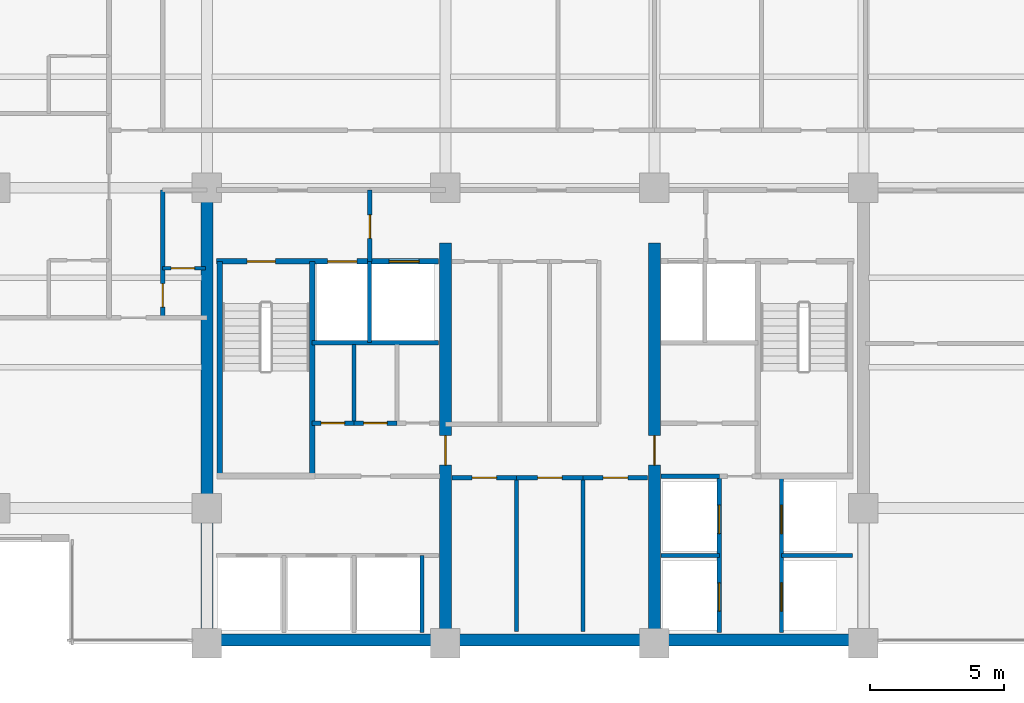
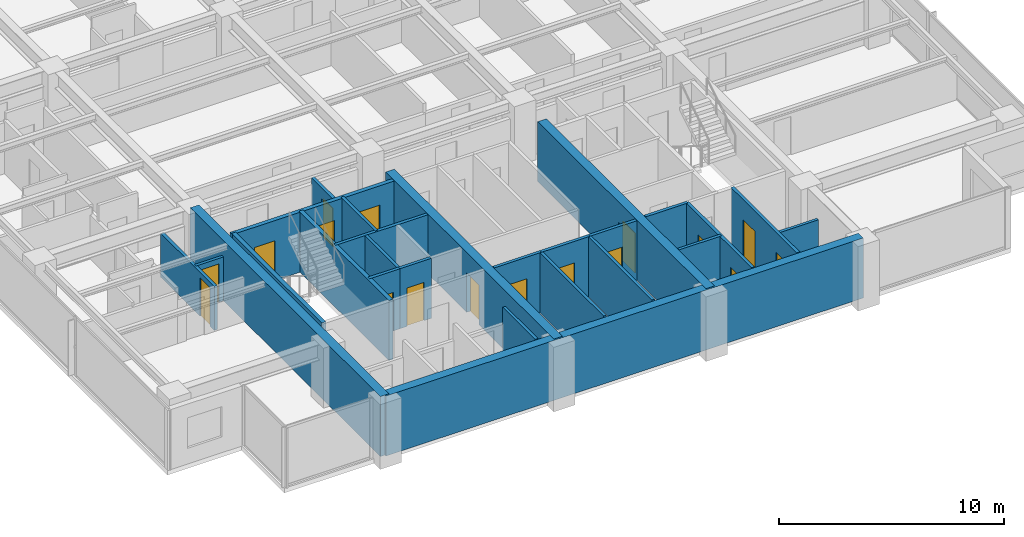
# One storey, part 7 of 15: 26 walls, 17 doors, 17 openings.
"""IFC4 building model written with IfcOpenShell, lengths in metres."""

from ifc_helpers import new_model, si_unit, direction, frame, frame_2d, origin, place, context, subcontext, project, spatial, rectangle, extrude, material, layer, layer_set, type_object, element, fill, save


model = new_model("IFC4")

# Units and contexts
model_context = context("Model", 3, precision=1e-05, world=origin(), true_north=direction((0.0, 1.0)))
body_context = subcontext(model_context, "Body", "Model", "MODEL_VIEW")
ifc_project = project(units=[si_unit("LENGTHUNIT", "METRE"), si_unit("AREAUNIT", "SQUARE_METRE"), si_unit("VOLUMEUNIT", "CUBIC_METRE"), si_unit("PLANEANGLEUNIT", "RADIAN"), si_unit("MASSUNIT", "GRAM", prefix="KILO")], contexts=[model_context])

# Site, building, storey
site_placement = place(None, origin())
site = spatial("IfcSite", under=ifc_project, at=site_placement, CompositionType="ELEMENT")
building_placement = place(site_placement, origin())
building = spatial("IfcBuilding", under=site, at=building_placement, Name="Qalmaran Belvedere Hotel", CompositionType="ELEMENT")
storey_placement = place(building_placement, frame((0.0, 0.0, 163.10009765625)))
storey = spatial("IfcBuildingStorey", under=building, at=storey_placement, Name="L41", CompositionType="ELEMENT", Elevation=163.10009765625)

# Wall
ifc_material_1 = material(Name="Concrete C50/60", Category="concrete")
ifc_layer_1 = layer(ifc_material_1, 0.449951171875, Name="Concrete C50/60")
ifc_layer_set_1 = layer_set([ifc_layer_1], Name="Concrete C50/60")
wall_type_1 = type_object("IfcWallType", Name="WL-CORE-450-C50", PredefinedType="SHEAR", material=ifc_layer_set_1)
wall_1_placement = place(storey_placement, frame((20.300048828125, 3.5, 0.0), z_axis=(0.0, 0.0, 1.0), x_axis=(0.0, 1.0, 0.0)))
element("IfcWall", 1, at=wall_1_placement, inside=storey, type_object=wall_type_1, Name="L41 West Core Shear Wall", PredefinedType="SHEAR", context=body_context, shape_type="SweptSolid", body=[
    extrude(rectangle(XDim=16.89990234375, YDim=0.449951171875, at=frame_2d((8.449951171875, 0.0))), origin(), (0.0, 0.0, 1.0), 3.25),
])

# Wall, opening, door
wall_2_placement = place(storey_placement, frame((29.199951171875, 3.5, 0.0), z_axis=(0.0, 0.0, 1.0), x_axis=(0.0, 1.0, 0.0)))
wall_2 = element("IfcWall", 2, at=wall_2_placement, inside=storey, type_object=wall_type_1, Name="L41 Core West Spine Shear Wall", PredefinedType="SHEAR", context=body_context, shape_type="SweptSolid", body=[
    extrude(rectangle(XDim=14.949951171875, YDim=0.449951171875, at=frame_2d((7.47509765625, 0.0))), origin(), (0.0, 0.0, 1.0), 3.25),
])
opening_1_placement = place(wall_2_placement, frame((7.75, 0.0, 0.0), z_axis=(0.0, 0.0, 1.0), x_axis=(-1.0, 0.0, 0.0)))
opening_1 = element("IfcOpeningElement", 3, at=opening_1_placement, cuts=wall_2, Name="Opening FD90", PredefinedType="OPENING", context=body_context, shape_type="SweptSolid", body=[
    extrude(rectangle(XDim=1.10009765625, YDim=2.14990234375, at=frame_2d((0.550048828125, 1.074951171875))), frame((0.0, 0.23486328125, 0.0), z_axis=(0.0, -1.0, 0.0), x_axis=(1.0, 0.0, 0.0)), (0.0, 0.0, 1.0), 0.469970703125),
])
ifc_material_2 = material(Name="Steel S355JR", Category="steel")
door_type_1 = type_object("IfcDoorType", Name="DR-FD90-1100X2150", OperationType="NOTDEFINED", PredefinedType="DOOR", material=ifc_material_2)
door_1_placement = place(opening_1_placement, origin())
door_1 = element("IfcDoor", 4, at=door_1_placement, inside=storey, type_object=door_type_1, Name="L41 Core West Cross-Lobby Door", OperationType="SINGLE_SWING_LEFT", OverallHeight=2.14990234375, OverallWidth=1.10009765625, PredefinedType="DOOR", context=body_context, shape_type="SweptSolid", body=[
    extrude(rectangle(XDim=1.10009765625, YDim=2.14990234375, at=frame_2d((0.550048828125, 1.074951171875))), frame((0.0, 0.02490234375, 0.0), z_axis=(0.0, -1.0, 0.0), x_axis=(1.0, 0.0, 0.0)), (0.0, 0.0, 1.0), 0.050048828125),
])
fill(opening_1, door_1)

wall_3_placement = place(storey_placement, frame((37.0, 3.5, 0.0), z_axis=(0.0, 0.0, 1.0), x_axis=(0.0, 1.0, 0.0)))
wall_3 = element("IfcWall", 5, at=wall_3_placement, inside=storey, type_object=wall_type_1, Name="L41 Core East Spine Shear Wall", PredefinedType="SHEAR", context=body_context, shape_type="SweptSolid", body=[
    extrude(rectangle(XDim=14.949951171875, YDim=0.449951171875, at=frame_2d((7.47509765625, 0.0))), origin(), (0.0, 0.0, 1.0), 3.25),
])
opening_2_placement = place(wall_3_placement, frame((6.64990234375, 0.0, 0.0)))
opening_2 = element("IfcOpeningElement", 6, at=opening_2_placement, cuts=wall_3, Name="Opening FD90", PredefinedType="OPENING", context=body_context, shape_type="SweptSolid", body=[
    extrude(rectangle(XDim=1.10009765625, YDim=2.14990234375, at=frame_2d((0.550048828125, 1.074951171875))), frame((0.0, 0.23486328125, 0.0), z_axis=(0.0, -1.0, 0.0), x_axis=(1.0, 0.0, 0.0)), (0.0, 0.0, 1.0), 0.469970703125),
])
door_2_placement = place(opening_2_placement, origin())
door_2 = element("IfcDoor", 7, at=door_2_placement, inside=storey, type_object=door_type_1, Name="L41 Core East Cross-Lobby Door", OperationType="SINGLE_SWING_RIGHT", OverallHeight=2.14990234375, OverallWidth=1.10009765625, PredefinedType="DOOR", context=body_context, shape_type="SweptSolid", body=[
    extrude(rectangle(XDim=1.10009765625, YDim=2.14990234375, at=frame_2d((0.550048828125, 1.074951171875))), frame((0.0, 0.02490234375, 0.0), z_axis=(0.0, -1.0, 0.0), x_axis=(1.0, 0.0, 0.0)), (0.0, 0.0, 1.0), 0.050048828125),
])
fill(opening_2, door_2)

# Wall
ifc_layer_2 = layer(ifc_material_1, 0.43994140625, Name="Concrete C50/60")
ifc_layer_set_2 = layer_set([ifc_layer_2], Name="Concrete C50/60")
wall_type_2 = type_object("IfcWallType", Name="WL-CORES-440-EXT", PredefinedType="SHEAR", material=ifc_layer_set_2)
wall_4_placement = place(storey_placement, frame((20.300048828125, 3.6298828125, 0.0), z_axis=(0.0, 0.0, 1.0), x_axis=(1.0, 0.0, 0.0)))
element("IfcWall", 8, at=wall_4_placement, inside=storey, type_object=wall_type_2, Name="L41 South Core Shear Wall", PredefinedType="SHEAR", context=body_context, shape_type="SweptSolid", body=[
    extrude(rectangle(XDim=24.5, YDim=0.43994140625, at=frame_2d((12.25, 0.0))), origin(), (0.0, 0.0, 1.0), 3.25),
])

# Wall, opening, door
ifc_material_3 = material(Name="Gypsum Stud Partition")
ifc_layer_3 = layer(ifc_material_3, 0.139892578125, Name="Gypsum Stud Partition")
ifc_layer_set_3 = layer_set([ifc_layer_3], Name="Gypsum Stud Partition")
wall_type_3 = type_object("IfcWallType", Name="WL-INT-140-NR", PredefinedType="PARTITIONING", material=ifc_layer_set_3)
wall_5_placement = place(storey_placement, frame((18.64990234375, 17.5, 0.0), z_axis=(0.0, 0.0, 1.0), x_axis=(1.0, 0.0, 0.0)))
wall_5 = element("IfcWall", 9, at=wall_5_placement, inside=storey, type_object=wall_type_3, Name="L41 Partition WL-L41-WCLSUB", PredefinedType="PARTITIONING", context=body_context, shape_type="SweptSolid", body=[
    extrude(rectangle(XDim=1.60009765625, YDim=0.139892578125, at=frame_2d((0.800048828125, 0.0))), origin(), (0.0, 0.0, 1.0), 2.3798828125),
])
opening_3_placement = place(wall_5_placement, frame((1.193115234375, 0.0, 0.0), z_axis=(0.0, 0.0, 1.0), x_axis=(-1.0, 0.0, 0.0)))
opening_3 = element("IfcOpeningElement", 10, at=opening_3_placement, cuts=wall_5, Name="Opening D-BATH", PredefinedType="OPENING", context=body_context, shape_type="SweptSolid", body=[
    extrude(rectangle(XDim=0.8798828125, YDim=2.080078125, at=frame_2d((0.43994140625, 1.0400390625))), frame((0.0, 0.080078125, 0.0), z_axis=(0.0, -1.0, 0.0), x_axis=(1.0, 0.0, 0.0)), (0.0, 0.0, 1.0), 0.159912109375),
])
ifc_material_4 = material(Name="Engineered Oak Veneer")
door_type_2 = type_object("IfcDoorType", Name="DR-INT-BATH-880X2080", OperationType="NOTDEFINED", PredefinedType="DOOR", material=ifc_material_4)
door_3_placement = place(opening_3_placement, origin())
door_3 = element("IfcDoor", 11, at=door_3_placement, inside=storey, type_object=door_type_2, Name="L41 Closet Alcove Door", OperationType="SINGLE_SWING_RIGHT", OverallHeight=2.080078125, OverallWidth=0.8798828125, PredefinedType="DOOR", context=body_context, shape_type="SweptSolid", body=[
    extrude(rectangle(XDim=0.8798828125, YDim=2.080078125, at=frame_2d((0.43994140625, 1.0400390625))), frame((0.0, 0.02490234375, 0.0), z_axis=(0.0, -1.0, 0.0), x_axis=(1.0, 0.0, 0.0)), (0.0, 0.0, 1.0), 0.050048828125),
])
fill(opening_3, door_3)

# Walls
ifc_layer_4 = layer(ifc_material_3, 0.14990234375, Name="Gypsum Stud Partition")
ifc_layer_set_4 = layer_set([ifc_layer_4], Name="Gypsum Stud Partition")
wall_type_4 = type_object("IfcWallType", Name="WL-INT-150-EI120", PredefinedType="PARTITIONING", material=ifc_layer_set_4)
wall_6_placement = place(storey_placement, frame((26.360107421875, 14.719970703125, 0.0), z_axis=(0.0, 0.0, 1.0), x_axis=(0.0, 1.0, 0.0)))
element("IfcWall", 12, at=wall_6_placement, inside=storey, type_object=wall_type_4, Name="L41 Partition WL-FF1M-L41", PredefinedType="PARTITIONING", context=body_context, shape_type="SweptSolid", body=[
    extrude(rectangle(XDim=3.0400390625, YDim=0.14990234375, at=frame_2d((1.52001953125, 0.0))), origin(), (0.0, 0.0, 1.0), 3.25),
])
wall_7_placement = place(storey_placement, frame((28.320068359375, 3.89990234375, 0.0), z_axis=(0.0, 0.0, 1.0), x_axis=(0.0, 1.0, 0.0)))
element("IfcWall", 13, at=wall_7_placement, inside=storey, type_object=wall_type_4, Name="L41 Partition WL-POM3-L41", PredefinedType="PARTITIONING", context=body_context, shape_type="SweptSolid", body=[
    extrude(rectangle(XDim=2.880126953125, YDim=0.14990234375, at=frame_2d((1.43994140625, 0.0))), origin(), (0.0, 0.0, 1.0), 3.25),
])
wall_8_placement = place(storey_placement, frame((37.25, 6.780029296875, 0.0), z_axis=(0.0, 0.0, 1.0), x_axis=(1.0, 0.0, 0.0)))
element("IfcWall", 14, at=wall_8_placement, inside=storey, type_object=wall_type_4, Name="L41 Partition WL-PHMW-L41", PredefinedType="PARTITIONING", context=body_context, shape_type="SweptSolid", body=[
    extrude(rectangle(XDim=2.169921875, YDim=0.14990234375, at=frame_2d((1.0849609375, 0.0))), origin(), (0.0, 0.0, 1.0), 3.25),
])
wall_9_placement = place(storey_placement, frame((41.739990234375, 6.780029296875, 0.0), z_axis=(0.0, 0.0, 1.0), x_axis=(1.0, 0.0, 0.0)))
element("IfcWall", 15, at=wall_9_placement, inside=storey, type_object=wall_type_4, Name="L41 Partition WL-PHME-L41", PredefinedType="PARTITIONING", context=body_context, shape_type="SweptSolid", body=[
    extrude(rectangle(XDim=2.659912109375, YDim=0.14990234375, at=frame_2d((1.330078125, 0.0))), origin(), (0.0, 0.0, 1.0), 2.3798828125),
])
ifc_layer_5 = layer(ifc_material_3, 0.14990234375, Name="Gypsum Stud Partition")
ifc_layer_set_5 = layer_set([ifc_layer_5], Name="Gypsum Stud Partition")
wall_type_5 = type_object("IfcWallType", Name="WL-INT-150-EI60", PredefinedType="PARTITIONING", material=ifc_layer_set_5)
wall_10_placement = place(storey_placement, frame((25.781005859375, 11.719970703125, 0.0), z_axis=(0.0, 0.0, 1.0), x_axis=(0.0, 1.0, 0.0)))
element("IfcWall", 16, at=wall_10_placement, inside=storey, type_object=wall_type_5, Name="L41 Partition WL-L41-KWV1", PredefinedType="PARTITIONING", context=body_context, shape_type="SweptSolid", body=[
    extrude(rectangle(XDim=2.929931640625, YDim=0.14990234375, at=frame_2d((1.46484375, 0.0))), origin(), (0.0, 0.0, 1.0), 3.25),
])
for number, where, z_axis, x_axis, name in (
    (17, (31.85888671875, 3.949951171875, 0.0), (0.0, 0.0, 1.0), (0.0, 1.0, 0.0), "L41 Partition WL-L41-KPLV1"),
    (18, (34.341064453125, 3.949951171875, 0.0), (0.0, 0.0, 1.0), (0.0, 1.0, 0.0), "L41 Partition WL-L41-KPLV2"),
):
    element("IfcWall", number, at=place(storey_placement, frame(where, z_axis=z_axis, x_axis=x_axis)), inside=storey, type_object=wall_type_5, Name=name, PredefinedType="PARTITIONING", context=body_context, shape_type="SweptSolid", body=[
        extrude(rectangle(XDim=5.72998046875, YDim=0.14990234375, at=frame_2d((2.864990234375, 0.0))), origin(), (0.0, 0.0, 1.0), 3.25),
    ])

# Wall, opening, door
ifc_layer_6 = layer(ifc_material_3, 0.159912109375, Name="Gypsum Stud Partition")
ifc_layer_set_6 = layer_set([ifc_layer_6], Name="Gypsum Stud Partition")
wall_type_6 = type_object("IfcWallType", Name="WL-INT-160-EI120", PredefinedType="PARTITIONING", material=ifc_layer_set_6)
wall_11_placement = place(storey_placement, frame((26.3798828125, 17.760009765625, 0.0), z_axis=(0.0, 0.0, 1.0), x_axis=(0.0, 1.0, 0.0)))
wall_11 = element("IfcWall", 19, at=wall_11_placement, inside=storey, type_object=wall_type_6, Name="L41 Partition WL-FFSV1-L41", PredefinedType="PARTITIONING", context=body_context, shape_type="SweptSolid", body=[
    extrude(rectangle(XDim=2.659912109375, YDim=0.159912109375, at=frame_2d((1.330078125, 0.0))), origin(), (0.0, 0.0, 1.0), 2.69189453125),
])
opening_4_placement = place(wall_11_placement, frame((0.85009765625, 0.0, 0.0)))
opening_4 = element("IfcOpeningElement", 20, at=opening_4_placement, cuts=wall_11, Name="Opening FD60B", PredefinedType="OPENING", context=body_context, shape_type="SweptSolid", body=[
    extrude(rectangle(XDim=0.8798828125, YDim=2.080078125, at=frame_2d((0.43994140625, 1.0400390625))), frame((0.0, 0.08984375, 0.0), z_axis=(0.0, -1.0, 0.0), x_axis=(1.0, 0.0, 0.0)), (0.0, 0.0, 1.0), 0.179931640625),
])
door_type_3 = type_object("IfcDoorType", Name="DR-FD60B-880X2080", OperationType="NOTDEFINED", PredefinedType="DOOR", material=ifc_material_2)
door_4_placement = place(opening_4_placement, origin())
door_4 = element("IfcDoor", 21, at=door_4_placement, inside=storey, type_object=door_type_3, Name="L41 Service Lobby West Door", OperationType="SINGLE_SWING_LEFT", OverallHeight=2.080078125, OverallWidth=0.8798828125, PredefinedType="DOOR", context=body_context, shape_type="SweptSolid", body=[
    extrude(rectangle(XDim=0.8798828125, YDim=2.080078125, at=frame_2d((0.43994140625, 1.0400390625))), frame((0.0, 0.02490234375, 0.0), z_axis=(0.0, -1.0, 0.0), x_axis=(1.0, 0.0, 0.0)), (0.0, 0.0, 1.0), 0.050048828125),
])
fill(opening_4, door_4)

# Wall
wall_12_placement = place(storey_placement, frame((24.219970703125, 14.719970703125, 0.0), z_axis=(0.0, 0.0, 1.0), x_axis=(1.0, 0.0, 0.0)))
element("IfcWall", 22, at=wall_12_placement, inside=storey, type_object=wall_type_6, Name="L41 Partition WL-FF1S-L41", PredefinedType="PARTITIONING", context=body_context, shape_type="SweptSolid", body=[
    extrude(rectangle(XDim=4.72998046875, YDim=0.159912109375, at=frame_2d((2.364990234375, 0.0))), origin(), (0.0, 0.0, 1.0), 3.25),
])

# Wall, openings, doors
wall_13_placement = place(storey_placement, frame((39.419921875, 3.89990234375, 0.0), z_axis=(0.0, 0.0, 1.0), x_axis=(0.0, 1.0, 0.0)))
wall_13 = element("IfcWall", 23, at=wall_13_placement, inside=storey, type_object=wall_type_6, Name="L41 Partition WL-PHW-L41", PredefinedType="PARTITIONING", context=body_context, shape_type="SweptSolid", body=[
    extrude(rectangle(XDim=5.840087890625, YDim=0.159912109375, at=frame_2d((2.919921875, 0.0))), origin(), (0.0, 0.0, 1.0), 3.25),
])
opening_5_placement = place(wall_13_placement, frame((1.860107421875, 0.0, 0.0), z_axis=(0.0, 0.0, 1.0), x_axis=(-1.0, 0.0, 0.0)))
opening_5 = element("IfcOpeningElement", 24, at=opening_5_placement, cuts=wall_13, Name="Opening LD-P2", PredefinedType="OPENING", context=body_context, shape_type="SweptSolid", body=[
    extrude(rectangle(XDim=1.06005859375, YDim=2.159912109375, at=frame_2d((0.530029296875, 1.080078125))), frame((0.0, 0.08984375, 0.0), z_axis=(0.0, -1.0, 0.0), x_axis=(1.0, 0.0, 0.0)), (0.0, 0.0, 1.0), 0.179931640625),
])
opening_6_placement = place(wall_13_placement, frame((4.760009765625, 0.0, 0.0), z_axis=(0.0, 0.0, 1.0), x_axis=(-1.0, 0.0, 0.0)))
opening_6 = element("IfcOpeningElement", 25, at=opening_6_placement, cuts=wall_13, Name="Opening LD-P2", PredefinedType="OPENING", context=body_context, shape_type="SweptSolid", body=[
    extrude(rectangle(XDim=1.06005859375, YDim=2.159912109375, at=frame_2d((0.530029296875, 1.080078125))), frame((0.0, 0.08984375, 0.0), z_axis=(0.0, -1.0, 0.0), x_axis=(1.0, 0.0, 0.0)), (0.0, 0.0, 1.0), 0.179931640625),
])
ifc_material_5 = material(Name="Stainless Steel 1.4401", Category="steel")
door_type_4 = type_object("IfcDoorType", Name="DR-LIFT-P2-1060X2160", OperationType="DOUBLE_DOOR_SLIDING", PredefinedType="DOOR", material=ifc_material_5)
door_5_placement = place(opening_5_placement, origin())
door_5 = element("IfcDoor", 26, at=door_5_placement, inside=storey, type_object=door_type_4, Name="L41 PH1 Lift Landing Door", OperationType="DOUBLE_DOOR_SLIDING", OverallHeight=2.159912109375, OverallWidth=1.06005859375, PredefinedType="DOOR", context=body_context, shape_type="SweptSolid", body=[
    extrude(rectangle(XDim=1.06005859375, YDim=2.159912109375, at=frame_2d((0.530029296875, 1.080078125))), frame((0.0, 0.02490234375, 0.0), z_axis=(0.0, -1.0, 0.0), x_axis=(1.0, 0.0, 0.0)), (0.0, 0.0, 1.0), 0.050048828125),
])
fill(opening_5, door_5)
door_6_placement = place(opening_6_placement, origin())
door_6 = element("IfcDoor", 27, at=door_6_placement, inside=storey, type_object=door_type_4, Name="L41 PH2 Lift Landing Door", OperationType="DOUBLE_DOOR_SLIDING", OverallHeight=2.159912109375, OverallWidth=1.06005859375, PredefinedType="DOOR", context=body_context, shape_type="SweptSolid", body=[
    extrude(rectangle(XDim=1.06005859375, YDim=2.159912109375, at=frame_2d((0.530029296875, 1.080078125))), frame((0.0, 0.02490234375, 0.0), z_axis=(0.0, -1.0, 0.0), x_axis=(1.0, 0.0, 0.0)), (0.0, 0.0, 1.0), 0.050048828125),
])
fill(opening_6, door_6)

wall_14_placement = place(storey_placement, frame((41.739990234375, 3.89990234375, 0.0), z_axis=(0.0, 0.0, 1.0), x_axis=(0.0, 1.0, 0.0)))
wall_14 = element("IfcWall", 28, at=wall_14_placement, inside=storey, type_object=wall_type_6, Name="L41 Partition WL-PHE-L41", PredefinedType="PARTITIONING", context=body_context, shape_type="SweptSolid", body=[
    extrude(rectangle(XDim=5.840087890625, YDim=0.159912109375, at=frame_2d((2.919921875, 0.0))), origin(), (0.0, 0.0, 1.0), 3.25),
])
opening_7_placement = place(wall_14_placement, frame((0.800048828125, 0.0, 0.0)))
opening_7 = element("IfcOpeningElement", 29, at=opening_7_placement, cuts=wall_14, Name="Opening LD-P2", PredefinedType="OPENING", context=body_context, shape_type="SweptSolid", body=[
    extrude(rectangle(XDim=1.06005859375, YDim=2.159912109375, at=frame_2d((0.530029296875, 1.080078125))), frame((0.0, 0.08984375, 0.0), z_axis=(0.0, -1.0, 0.0), x_axis=(1.0, 0.0, 0.0)), (0.0, 0.0, 1.0), 0.179931640625),
])
opening_8_placement = place(wall_14_placement, frame((3.699951171875, 0.0, 0.0)))
opening_8 = element("IfcOpeningElement", 30, at=opening_8_placement, cuts=wall_14, Name="Opening LD-P2", PredefinedType="OPENING", context=body_context, shape_type="SweptSolid", body=[
    extrude(rectangle(XDim=1.06005859375, YDim=2.159912109375, at=frame_2d((0.530029296875, 1.080078125))), frame((0.0, 0.08984375, 0.0), z_axis=(0.0, -1.0, 0.0), x_axis=(1.0, 0.0, 0.0)), (0.0, 0.0, 1.0), 0.179931640625),
])
door_7_placement = place(opening_7_placement, origin())
door_7 = element("IfcDoor", 31, at=door_7_placement, inside=storey, type_object=door_type_4, Name="L41 PH3 Lift Landing Door", OperationType="DOUBLE_DOOR_SLIDING", OverallHeight=2.159912109375, OverallWidth=1.06005859375, PredefinedType="DOOR", context=body_context, shape_type="SweptSolid", body=[
    extrude(rectangle(XDim=1.06005859375, YDim=2.159912109375, at=frame_2d((0.530029296875, 1.080078125))), frame((0.0, 0.02490234375, 0.0), z_axis=(0.0, -1.0, 0.0), x_axis=(1.0, 0.0, 0.0)), (0.0, 0.0, 1.0), 0.050048828125),
])
fill(opening_7, door_7)
door_8_placement = place(opening_8_placement, origin())
door_8 = element("IfcDoor", 32, at=door_8_placement, inside=storey, type_object=door_type_4, Name="L41 PH4 Lift Landing Door", OperationType="DOUBLE_DOOR_SLIDING", OverallHeight=2.159912109375, OverallWidth=1.06005859375, PredefinedType="DOOR", context=body_context, shape_type="SweptSolid", body=[
    extrude(rectangle(XDim=1.06005859375, YDim=2.159912109375, at=frame_2d((0.530029296875, 1.080078125))), frame((0.0, 0.02490234375, 0.0), z_axis=(0.0, -1.0, 0.0), x_axis=(1.0, 0.0, 0.0)), (0.0, 0.0, 1.0), 0.050048828125),
])
fill(opening_8, door_8)

# Wall
wall_15_placement = place(storey_placement, frame((37.25, 9.739990234375, 0.0), z_axis=(0.0, 0.0, 1.0), x_axis=(1.0, 0.0, 0.0)))
element("IfcWall", 33, at=wall_15_placement, inside=storey, type_object=wall_type_6, Name="L41 Partition WL-PHNW-L41", PredefinedType="PARTITIONING", context=body_context, shape_type="SweptSolid", body=[
    extrude(rectangle(XDim=2.169921875, YDim=0.159912109375, at=frame_2d((1.0849609375, 0.0))), origin(), (0.0, 0.0, 1.0), 3.25),
])

# Wall, opening, door
ifc_layer_7 = layer(ifc_material_3, 0.159912109375, Name="Gypsum Stud Partition")
ifc_layer_set_7 = layer_set([ifc_layer_7], Name="Gypsum Stud Partition")
wall_type_7 = type_object("IfcWallType", Name="WL-INT-160-EI60", PredefinedType="PARTITIONING", material=ifc_layer_set_7)
wall_16_placement = place(storey_placement, frame((24.219970703125, 11.719970703125, 0.0), z_axis=(0.0, 0.0, 1.0), x_axis=(1.0, 0.0, 0.0)))
wall_16 = element("IfcWall", 34, at=wall_16_placement, inside=storey, type_object=wall_type_7, Name="L41 Partition WL-L41-KWE1", PredefinedType="PARTITIONING", context=body_context, shape_type="SweptSolid", body=[
    extrude(rectangle(XDim=1.56103515625, YDim=0.159912109375, at=frame_2d((0.780517578125, 0.0))), origin(), (0.0, 0.0, 1.0), 3.25),
])
opening_9_placement = place(wall_16_placement, frame((0.340576171875, 0.0, 0.0)))
opening_9 = element("IfcOpeningElement", 35, at=opening_9_placement, cuts=wall_16, Name="Opening FD60B", PredefinedType="OPENING", context=body_context, shape_type="SweptSolid", body=[
    extrude(rectangle(XDim=0.8798828125, YDim=2.080078125, at=frame_2d((0.43994140625, 1.0400390625))), frame((0.0, 0.08984375, 0.0), z_axis=(0.0, -1.0, 0.0), x_axis=(1.0, 0.0, 0.0)), (0.0, 0.0, 1.0), 0.179931640625),
])
door_9_placement = place(opening_9_placement, origin())
door_9 = element("IfcDoor", 36, at=door_9_placement, inside=storey, type_object=door_type_3, Name="L41 Staff Core WC Door", OperationType="SINGLE_SWING_RIGHT", OverallHeight=2.080078125, OverallWidth=0.8798828125, PredefinedType="DOOR", context=body_context, shape_type="SweptSolid", body=[
    extrude(rectangle(XDim=0.8798828125, YDim=2.080078125, at=frame_2d((0.43994140625, 1.0400390625))), frame((0.0, 0.02490234375, 0.0), z_axis=(0.0, -1.0, 0.0), x_axis=(1.0, 0.0, 0.0)), (0.0, 0.0, 1.0), 0.050048828125),
])
fill(opening_9, door_9)

wall_17_placement = place(storey_placement, frame((25.781005859375, 11.719970703125, 0.0), z_axis=(0.0, 0.0, 1.0), x_axis=(1.0, 0.0, 0.0)))
wall_17 = element("IfcWall", 37, at=wall_17_placement, inside=storey, type_object=wall_type_7, Name="L41 Partition WL-L41-KWE2", PredefinedType="PARTITIONING", context=body_context, shape_type="SweptSolid", body=[
    extrude(rectangle(XDim=1.608154296875, YDim=0.159912109375, at=frame_2d((0.80419921875, 0.0))), origin(), (0.0, 0.0, 1.0), 3.25),
])
opening_10_placement = place(wall_17_placement, frame((0.364013671875, 0.0, 0.0)))
opening_10 = element("IfcOpeningElement", 38, at=opening_10_placement, cuts=wall_17, Name="Opening FD60B", PredefinedType="OPENING", context=body_context, shape_type="SweptSolid", body=[
    extrude(rectangle(XDim=0.8798828125, YDim=2.080078125, at=frame_2d((0.43994140625, 1.0400390625))), frame((0.0, 0.08984375, 0.0), z_axis=(0.0, -1.0, 0.0), x_axis=(1.0, 0.0, 0.0)), (0.0, 0.0, 1.0), 0.179931640625),
])
door_10_placement = place(opening_10_placement, origin())
door_10 = element("IfcDoor", 39, at=door_10_placement, inside=storey, type_object=door_type_3, Name="L41 Electrical Distribution Room Door", OperationType="SINGLE_SWING_LEFT", OverallHeight=2.080078125, OverallWidth=0.8798828125, PredefinedType="DOOR", context=body_context, shape_type="SweptSolid", body=[
    extrude(rectangle(XDim=0.8798828125, YDim=2.080078125, at=frame_2d((0.43994140625, 1.0400390625))), frame((0.0, 0.02490234375, 0.0), z_axis=(0.0, -1.0, 0.0), x_axis=(1.0, 0.0, 0.0)), (0.0, 0.0, 1.0), 0.050048828125),
])
fill(opening_10, door_10)

wall_18_placement = place(storey_placement, frame((29.449951171875, 9.679931640625, 0.0), z_axis=(0.0, 0.0, 1.0), x_axis=(1.0, 0.0, 0.0)))
wall_18 = element("IfcWall", 40, at=wall_18_placement, inside=storey, type_object=wall_type_7, Name="L41 Partition WL-L41-KPLE1", PredefinedType="PARTITIONING", context=body_context, shape_type="SweptSolid", body=[
    extrude(rectangle(XDim=2.408935546875, YDim=0.159912109375, at=frame_2d((1.20458984375, 0.0))), origin(), (0.0, 0.0, 1.0), 3.25),
])
opening_11_placement = place(wall_18_placement, frame((1.664306640625, 0.0, 0.0), z_axis=(0.0, 0.0, 1.0), x_axis=(-1.0, 0.0, 0.0)))
opening_11 = element("IfcOpeningElement", 41, at=opening_11_placement, cuts=wall_18, Name="Opening FD60S1", PredefinedType="OPENING", context=body_context, shape_type="SweptSolid", body=[
    extrude(rectangle(XDim=0.919921875, YDim=2.080078125, at=frame_2d((0.4599609375, 1.0400390625))), frame((0.0, 0.08984375, 0.0), z_axis=(0.0, -1.0, 0.0), x_axis=(1.0, 0.0, 0.0)), (0.0, 0.0, 1.0), 0.179931640625),
])
door_type_5 = type_object("IfcDoorType", Name="DR-FD60S-920X2080", OperationType="NOTDEFINED", PredefinedType="DOOR", material=ifc_material_4)
door_11_placement = place(opening_11_placement, origin())
door_11 = element("IfcDoor", 42, at=door_11_placement, inside=storey, type_object=door_type_5, Name="L41 Housekeeping and Linen Room Door", OperationType="SINGLE_SWING_RIGHT", OverallHeight=2.080078125, OverallWidth=0.919921875, PredefinedType="DOOR", context=body_context, shape_type="SweptSolid", body=[
    extrude(rectangle(XDim=0.919921875, YDim=2.080078125, at=frame_2d((0.4599609375, 1.0400390625))), frame((0.0, 0.02490234375, 0.0), z_axis=(0.0, -1.0, 0.0), x_axis=(1.0, 0.0, 0.0)), (0.0, 0.0, 1.0), 0.050048828125),
])
fill(opening_11, door_11)

wall_19_placement = place(storey_placement, frame((31.85888671875, 9.679931640625, 0.0), z_axis=(0.0, 0.0, 1.0), x_axis=(1.0, 0.0, 0.0)))
wall_19 = element("IfcWall", 43, at=wall_19_placement, inside=storey, type_object=wall_type_7, Name="L41 Partition WL-L41-KPLE2", PredefinedType="PARTITIONING", context=body_context, shape_type="SweptSolid", body=[
    extrude(rectangle(XDim=2.482177734375, YDim=0.159912109375, at=frame_2d((1.2412109375, 0.0))), origin(), (0.0, 0.0, 1.0), 3.25),
])
opening_12_placement = place(wall_19_placement, frame((1.700927734375, 0.0, 0.0), z_axis=(0.0, 0.0, 1.0), x_axis=(-1.0, 0.0, 0.0)))
opening_12 = element("IfcOpeningElement", 44, at=opening_12_placement, cuts=wall_19, Name="Opening FD60S1", PredefinedType="OPENING", context=body_context, shape_type="SweptSolid", body=[
    extrude(rectangle(XDim=0.919921875, YDim=2.080078125, at=frame_2d((0.4599609375, 1.0400390625))), frame((0.0, 0.08984375, 0.0), z_axis=(0.0, -1.0, 0.0), x_axis=(1.0, 0.0, 0.0)), (0.0, 0.0, 1.0), 0.179931640625),
])
door_12_placement = place(opening_12_placement, origin())
door_12 = element("IfcDoor", 45, at=door_12_placement, inside=storey, type_object=door_type_5, Name="L41 Hotel Butler Service Pantry Door", OperationType="SINGLE_SWING_LEFT", OverallHeight=2.080078125, OverallWidth=0.919921875, PredefinedType="DOOR", context=body_context, shape_type="SweptSolid", body=[
    extrude(rectangle(XDim=0.919921875, YDim=2.080078125, at=frame_2d((0.4599609375, 1.0400390625))), frame((0.0, 0.02490234375, 0.0), z_axis=(0.0, -1.0, 0.0), x_axis=(1.0, 0.0, 0.0)), (0.0, 0.0, 1.0), 0.050048828125),
])
fill(opening_12, door_12)

wall_20_placement = place(storey_placement, frame((34.341064453125, 9.679931640625, 0.0), z_axis=(0.0, 0.0, 1.0), x_axis=(1.0, 0.0, 0.0)))
wall_20 = element("IfcWall", 46, at=wall_20_placement, inside=storey, type_object=wall_type_7, Name="L41 Partition WL-L41-KPLE3", PredefinedType="PARTITIONING", context=body_context, shape_type="SweptSolid", body=[
    extrude(rectangle(XDim=2.408935546875, YDim=0.159912109375, at=frame_2d((1.20458984375, 0.0))), origin(), (0.0, 0.0, 1.0), 3.25),
])
opening_13_placement = place(wall_20_placement, frame((1.664306640625, 0.0, 0.0), z_axis=(0.0, 0.0, 1.0), x_axis=(-1.0, 0.0, 0.0)))
opening_13 = element("IfcOpeningElement", 47, at=opening_13_placement, cuts=wall_20, Name="Opening FD60S1", PredefinedType="OPENING", context=body_context, shape_type="SweptSolid", body=[
    extrude(rectangle(XDim=0.919921875, YDim=2.080078125, at=frame_2d((0.4599609375, 1.0400390625))), frame((0.0, 0.08984375, 0.0), z_axis=(0.0, -1.0, 0.0), x_axis=(1.0, 0.0, 0.0)), (0.0, 0.0, 1.0), 0.179931640625),
])
door_13_placement = place(opening_13_placement, origin())
door_13 = element("IfcDoor", 48, at=door_13_placement, inside=storey, type_object=door_type_5, Name="L41 Guest Valet Supply Store Door", OperationType="SINGLE_SWING_RIGHT", OverallHeight=2.080078125, OverallWidth=0.919921875, PredefinedType="DOOR", context=body_context, shape_type="SweptSolid", body=[
    extrude(rectangle(XDim=0.919921875, YDim=2.080078125, at=frame_2d((0.4599609375, 1.0400390625))), frame((0.0, 0.02490234375, 0.0), z_axis=(0.0, -1.0, 0.0), x_axis=(1.0, 0.0, 0.0)), (0.0, 0.0, 1.0), 0.050048828125),
])
fill(opening_13, door_13)

wall_21_placement = place(storey_placement, frame((18.64990234375, 15.64990234375, 0.0), z_axis=(0.0, 0.0, 1.0), x_axis=(0.0, 1.0, 0.0)))
wall_21 = element("IfcWall", 49, at=wall_21_placement, inside=storey, type_object=wall_type_7, Name="L41 Partition WL-L41-WCL", PredefinedType="PARTITIONING", context=body_context, shape_type="SweptSolid", body=[
    extrude(rectangle(XDim=4.77001953125, YDim=0.159912109375, at=frame_2d((2.385009765625, 0.0))), origin(), (0.0, 0.0, 1.0), 2.3798828125),
])
opening_14_placement = place(wall_21_placement, frame((1.27978515625, 0.0, 0.0), z_axis=(0.0, 0.0, 1.0), x_axis=(-1.0, 0.0, 0.0)))
opening_14 = element("IfcOpeningElement", 50, at=opening_14_placement, cuts=wall_21, Name="Opening FD60B", PredefinedType="OPENING", context=body_context, shape_type="SweptSolid", body=[
    extrude(rectangle(XDim=0.8798828125, YDim=2.080078125, at=frame_2d((0.43994140625, 1.0400390625))), frame((0.0, 0.08984375, 0.0), z_axis=(0.0, -1.0, 0.0), x_axis=(1.0, 0.0, 0.0)), (0.0, 0.0, 1.0), 0.179931640625),
])
door_14_placement = place(opening_14_placement, origin())
door_14 = element("IfcDoor", 51, at=door_14_placement, inside=storey, type_object=door_type_3, Name="L41 West Closet Door", OperationType="SINGLE_SWING_RIGHT", OverallHeight=2.080078125, OverallWidth=0.8798828125, PredefinedType="DOOR", context=body_context, shape_type="SweptSolid", body=[
    extrude(rectangle(XDim=0.8798828125, YDim=2.080078125, at=frame_2d((0.43994140625, 1.0400390625))), frame((0.0, 0.02490234375, 0.0), z_axis=(0.0, -1.0, 0.0), x_axis=(1.0, 0.0, 0.0)), (0.0, 0.0, 1.0), 0.050048828125),
])
fill(opening_14, door_14)

# Walls
ifc_layer_8 = layer(ifc_material_1, 0.2099609375, Name="Concrete C50/60")
ifc_layer_set_8 = layer_set([ifc_layer_8], Name="Concrete C50/60")
wall_type_8 = type_object("IfcWallType", Name="WL-STAIR-210-C50", PredefinedType="SHEAR", material=ifc_layer_set_8)
for number, where, z_axis, x_axis, name in (
    (52, (20.77490234375, 9.7451171875, 0.0), (0.0, 0.0, 1.0), (0.0, 1.0, 0.0), "L41 Stair ST-1 West Bearing Wall"),
    (53, (24.22509765625, 9.7451171875, 0.0), (0.0, 0.0, 1.0), (0.0, 1.0, 0.0), "L41 Stair ST-1 East Bearing Wall"),
):
    element("IfcWall", number, at=place(storey_placement, frame(where, z_axis=z_axis, x_axis=x_axis)), inside=storey, type_object=wall_type_8, Name=name, PredefinedType="SHEAR", context=body_context, shape_type="SweptSolid", body=[
        extrude(rectangle(XDim=8.009765625, YDim=0.2099609375, at=frame_2d((4.0048828125, 0.0))), origin(), (0.0, 0.0, 1.0), 3.25),
    ])

# Wall, openings, doors
wall_22_placement = place(storey_placement, frame((20.64990234375, 17.7548828125, 0.0), z_axis=(0.0, 0.0, 1.0), x_axis=(1.0, 0.0, 0.0)))
wall_22 = element("IfcWall", 54, at=wall_22_placement, inside=storey, type_object=wall_type_8, Name="L41 West Lobby and Stair ST-1 North Bearing Wall", PredefinedType="SHEAR", context=body_context, shape_type="SweptSolid", body=[
    extrude(rectangle(XDim=8.300048828125, YDim=0.2099609375, at=frame_2d((4.14990234375, 0.0))), origin(), (0.0, 0.0, 1.0), 3.25),
])
opening_15_placement = place(wall_22_placement, frame((2.199951171875, 0.0, 0.0), z_axis=(0.0, 0.0, 1.0), x_axis=(-1.0, 0.0, 0.0)))
opening_15 = element("IfcOpeningElement", 55, at=opening_15_placement, cuts=wall_22, Name="Opening FD90S2", PredefinedType="OPENING", context=body_context, shape_type="SweptSolid", body=[
    extrude(rectangle(XDim=1.050048828125, YDim=2.14990234375, at=frame_2d((0.52490234375, 1.074951171875))), frame((0.0, 0.114990234375, 0.0), z_axis=(0.0, -1.0, 0.0), x_axis=(1.0, 0.0, 0.0)), (0.0, 0.0, 1.0), 0.22998046875),
])
opening_16_placement = place(wall_22_placement, frame((4.14990234375, 0.0, 0.0)))
opening_16 = element("IfcOpeningElement", 56, at=opening_16_placement, cuts=wall_22, Name="Opening LD-FF", PredefinedType="OPENING", context=body_context, shape_type="SweptSolid", body=[
    extrude(rectangle(XDim=1.10009765625, YDim=2.179931640625, at=frame_2d((0.550048828125, 1.08984375))), frame((0.0, 0.114990234375, 0.0), z_axis=(0.0, -1.0, 0.0), x_axis=(1.0, 0.0, 0.0)), (0.0, 0.0, 1.0), 0.22998046875),
])
opening_17_placement = place(wall_22_placement, frame((6.449951171875, 0.0, 0.0)))
opening_17 = element("IfcOpeningElement", 57, at=opening_17_placement, cuts=wall_22, Name="Opening LD-SV", PredefinedType="OPENING", context=body_context, shape_type="SweptSolid", body=[
    extrude(rectangle(XDim=1.1201171875, YDim=2.199951171875, at=frame_2d((0.56005859375, 1.10009765625))), frame((0.0, 0.114990234375, 0.0), z_axis=(0.0, -1.0, 0.0), x_axis=(1.0, 0.0, 0.0)), (0.0, 0.0, 1.0), 0.22998046875),
])
door_type_6 = type_object("IfcDoorType", Name="DR-FD90S-1050X2150", OperationType="NOTDEFINED", PredefinedType="DOOR", material=ifc_material_2)
door_15_placement = place(opening_15_placement, origin())
door_15 = element("IfcDoor", 58, at=door_15_placement, inside=storey, type_object=door_type_6, Name="L41 Stair ST-1 Door", OperationType="SINGLE_SWING_LEFT", OverallHeight=2.14990234375, OverallWidth=1.050048828125, PredefinedType="DOOR", context=body_context, shape_type="SweptSolid", body=[
    extrude(rectangle(XDim=1.050048828125, YDim=2.14990234375, at=frame_2d((0.52490234375, 1.074951171875))), frame((0.0, 0.02490234375, 0.0), z_axis=(0.0, -1.0, 0.0), x_axis=(1.0, 0.0, 0.0)), (0.0, 0.0, 1.0), 0.050048828125),
])
fill(opening_15, door_15)
door_type_7 = type_object("IfcDoorType", Name="DR-LIFT-FF-1100X2180", OperationType="DOUBLE_DOOR_SLIDING", PredefinedType="DOOR", material=ifc_material_5)
door_16_placement = place(opening_16_placement, origin())
door_16 = element("IfcDoor", 59, at=door_16_placement, inside=storey, type_object=door_type_7, Name="L41 FF1 Lift Landing Door", OperationType="DOUBLE_DOOR_SLIDING", OverallHeight=2.179931640625, OverallWidth=1.10009765625, PredefinedType="DOOR", context=body_context, shape_type="SweptSolid", body=[
    extrude(rectangle(XDim=1.10009765625, YDim=2.179931640625, at=frame_2d((0.550048828125, 1.08984375))), frame((0.0, 0.02490234375, 0.0), z_axis=(0.0, -1.0, 0.0), x_axis=(1.0, 0.0, 0.0)), (0.0, 0.0, 1.0), 0.050048828125),
])
fill(opening_16, door_16)
door_type_8 = type_object("IfcDoorType", Name="DR-LIFT-SV-1120X2200", OperationType="DOUBLE_DOOR_SLIDING", PredefinedType="DOOR", material=ifc_material_5)
door_17_placement = place(opening_17_placement, origin())
door_17 = element("IfcDoor", 60, at=door_17_placement, inside=storey, type_object=door_type_8, Name="L41 SV1 Lift Landing Door", OperationType="DOUBLE_DOOR_SLIDING", OverallHeight=2.199951171875, OverallWidth=1.1201171875, PredefinedType="DOOR", context=body_context, shape_type="SweptSolid", body=[
    extrude(rectangle(XDim=1.1201171875, YDim=2.199951171875, at=frame_2d((0.56005859375, 1.10009765625))), frame((0.0, 0.02490234375, 0.0), z_axis=(0.0, -1.0, 0.0), x_axis=(1.0, 0.0, 0.0)), (0.0, 0.0, 1.0), 0.050048828125),
])
fill(opening_17, door_17)

save(model, "model.ifc")
